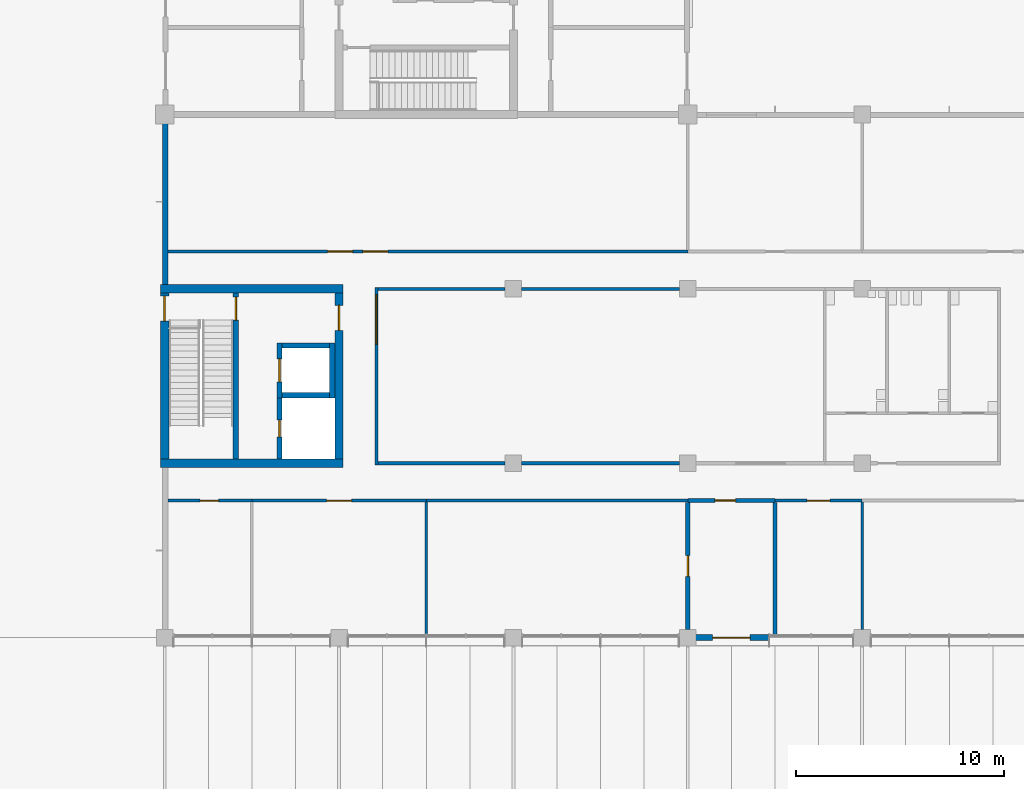
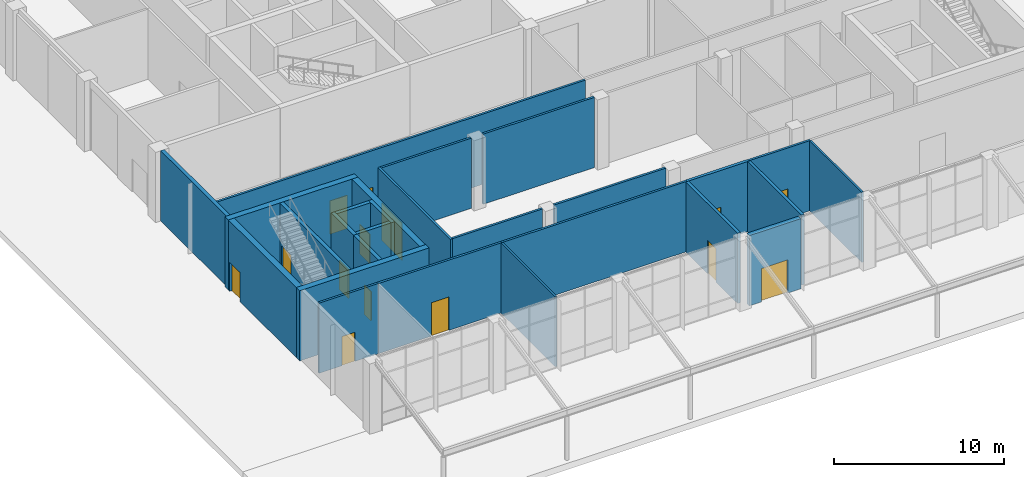
# One storey, part 32 of 76: 27 walls, 14 doors, 14 openings.
"""IFC4 building model written with IfcOpenShell, lengths in metres."""

from ifc_helpers import new_model, si_unit, direction, frame, frame_2d, origin, place, context, subcontext, project, spatial, rectangle, extrude, material, layer, layer_set, type_object, element, fill, save


model = new_model("IFC4")

# Units and contexts
model_context = context("Model", 3, precision=1e-05, world=origin(), true_north=direction((0.0, 1.0)))
body_context = subcontext(model_context, "Body", "Model", "MODEL_VIEW")
ifc_project = project(units=[si_unit("LENGTHUNIT", "METRE"), si_unit("AREAUNIT", "SQUARE_METRE"), si_unit("VOLUMEUNIT", "CUBIC_METRE"), si_unit("PLANEANGLEUNIT", "RADIAN"), si_unit("MASSUNIT", "GRAM", prefix="KILO")], contexts=[model_context])

# Site, building, storey
site_placement = place(None, origin())
site = spatial("IfcSite", under=ifc_project, at=site_placement, CompositionType="ELEMENT")
building_placement = place(site_placement, origin())
building = spatial("IfcBuilding", under=site, at=building_placement, Name="Hlaing Beacon Police Headquarters", CompositionType="ELEMENT")
storey_placement = place(building_placement, origin())
storey = spatial("IfcBuildingStorey", under=building, at=storey_placement, Name="L00", CompositionType="ELEMENT", Elevation=0.0)

# Walls
ifc_material_1 = material(Name="Concrete C60/75", Category="concrete")
ifc_layer_1 = layer(ifc_material_1, 0.39990234375)
ifc_layer_set_1 = layer_set([ifc_layer_1], Name="Concrete C60/75")
wall_type_1 = type_object("IfcWallType", Name="Core shear wall 400", PredefinedType="SHEAR", material=ifc_layer_set_1)
for number, where, z_axis, x_axis, name in (
    (1, (8.199951171875, 16.800048828125, 0.0), (0.0, 0.0, 1.0), (1.0, 0.0, 0.0), "Core shear wall"),
    (2, (8.199951171875, 25.199951171875, 0.0), (0.0, 0.0, 1.0), (1.0, 0.0, 0.0), "Core shear wall"),
):
    element("IfcWall", number, at=place(storey_placement, frame(where, z_axis=z_axis, x_axis=x_axis)), inside=storey, type_object=wall_type_1, Name=name, PredefinedType="SHEAR", context=body_context, shape_type="SweptSolid", body=[
        extrude(rectangle(XDim=8.800048828125, YDim=0.39990234375, at=frame_2d((4.39990234375, 0.0))), origin(), (0.0, 0.0, 1.0), 5.050048828125),
    ])

# Wall, opening, door
wall_1_placement = place(storey_placement, frame((8.39990234375, 17.0, 0.0), z_axis=(0.0, 0.0, 1.0), x_axis=(0.0, 1.0, 0.0)))
wall_1 = element("IfcWall", 3, at=wall_1_placement, inside=storey, type_object=wall_type_1, Name="Core shear wall", PredefinedType="SHEAR", context=body_context, shape_type="SweptSolid", body=[
    extrude(rectangle(XDim=8.0, YDim=0.39990234375, at=frame_2d((4.0, 0.0))), origin(), (0.0, 0.0, 1.0), 5.050048828125),
])
opening_1_placement = place(wall_1_placement, frame((6.64990234375, 0.0, 0.0)))
opening_1 = element("IfcOpeningElement", 4, at=opening_1_placement, cuts=wall_1, Name="Opening L00-940", PredefinedType="OPENING", context=body_context, shape_type="SweptSolid", body=[
    extrude(rectangle(XDim=1.199951171875, YDim=2.10009765625, at=frame_2d((0.60009765625, 1.050048828125))), frame((0.0, 0.2099609375, 0.0), z_axis=(0.0, -1.0, 0.0), x_axis=(1.0, 0.0, 0.0)), (0.0, 0.0, 1.0), 0.419921875),
])
ifc_material_2 = material(Name="Steel fire door leaf", Category="steel")
ifc_layer_2 = layer(ifc_material_2, 0.070068359375)
ifc_layer_set_2 = layer_set([ifc_layer_2], Name="Steel fire door leaf")
door_type_1 = type_object("IfcDoorType", Name="Steel fire door FD60 1200x2100", OperationType="SINGLE_SWING_LEFT", PredefinedType="DOOR", material=ifc_layer_set_2)
door_1_placement = place(opening_1_placement, origin())
door_1 = element("IfcDoor", 5, at=door_1_placement, inside=storey, type_object=door_type_1, Name="Door Stair ST-J Exit", OperationType="SINGLE_SWING_LEFT", OverallHeight=2.10009765625, OverallWidth=1.199951171875, PredefinedType="DOOR", context=body_context, shape_type="SweptSolid", body=[
    extrude(rectangle(XDim=1.199951171875, YDim=2.10009765625, at=frame_2d((0.60009765625, 1.050048828125))), frame((0.0, 0.03515625, 0.0), z_axis=(0.0, -1.0, 0.0), x_axis=(1.0, 0.0, 0.0)), (0.0, 0.0, 1.0), 0.070068359375),
])
fill(opening_1, door_1)

wall_2_placement = place(storey_placement, frame((16.800048828125, 17.0, 0.0), z_axis=(0.0, 0.0, 1.0), x_axis=(0.0, 1.0, 0.0)))
wall_2 = element("IfcWall", 6, at=wall_2_placement, inside=storey, type_object=wall_type_1, Name="Core shear wall", PredefinedType="SHEAR", context=body_context, shape_type="SweptSolid", body=[
    extrude(rectangle(XDim=8.0, YDim=0.39990234375, at=frame_2d((4.0, 0.0))), origin(), (0.0, 0.0, 1.0), 5.050048828125),
])
opening_2_placement = place(wall_2_placement, frame((6.199951171875, 0.0, 0.0)))
opening_2 = element("IfcOpeningElement", 7, at=opening_2_placement, cuts=wall_2, Name="Opening L00-937", PredefinedType="OPENING", context=body_context, shape_type="SweptSolid", body=[
    extrude(rectangle(XDim=1.199951171875, YDim=2.10009765625, at=frame_2d((0.60009765625, 1.050048828125))), frame((0.0, 0.2099609375, 0.0), z_axis=(0.0, -1.0, 0.0), x_axis=(1.0, 0.0, 0.0)), (0.0, 0.0, 1.0), 0.419921875),
])
ifc_material_3 = material(Name="Steel fire door leaf", Category="steel")
ifc_layer_3 = layer(ifc_material_3, 0.070068359375)
ifc_layer_set_3 = layer_set([ifc_layer_3], Name="Steel fire door leaf")
door_type_2 = type_object("IfcDoorType", Name="Steel fire door FD60S 1200x2100", OperationType="SINGLE_SWING_LEFT", PredefinedType="DOOR", material=ifc_layer_set_3)
door_2_placement = place(opening_2_placement, origin())
door_2 = element("IfcDoor", 8, at=door_2_placement, inside=storey, type_object=door_type_2, Name="Door Lift and Stair Lobby ST-J Entry", OperationType="SINGLE_SWING_RIGHT", OverallHeight=2.10009765625, OverallWidth=1.199951171875, PredefinedType="DOOR", context=body_context, shape_type="SweptSolid", body=[
    extrude(rectangle(XDim=1.199951171875, YDim=2.10009765625, at=frame_2d((0.60009765625, 1.050048828125))), frame((0.0, 0.03515625, 0.0), z_axis=(0.0, -1.0, 0.0), x_axis=(1.0, 0.0, 0.0)), (0.0, 0.0, 1.0), 0.070068359375),
])
fill(opening_2, door_2)

ifc_material_4 = material(Name="Gypsum board partition")
ifc_layer_4 = layer(ifc_material_4, 0.14990234375)
ifc_layer_set_4 = layer_set([ifc_layer_4], Name="Gypsum board partition")
wall_type_2 = type_object("IfcWallType", Name="Corridor wall EI 30 150", PredefinedType="PARTITIONING", material=ifc_layer_set_4)
wall_3_placement = place(storey_placement, frame((18.60009765625, 16.72509765625, 0.0), z_axis=(0.0, 0.0, 1.0), x_axis=(0.0, 1.0, 0.0)))
wall_3 = element("IfcWall", 9, at=wall_3_placement, inside=storey, type_object=wall_type_2, Name="Corridor wall EI 30 150", PredefinedType="PARTITIONING", context=body_context, shape_type="SweptSolid", body=[
    extrude(rectangle(XDim=8.5498046875, YDim=0.14990234375, at=frame_2d((4.27490234375, 0.0))), origin(), (0.0, 0.0, 1.0), 5.050048828125),
])
opening_3_placement = place(wall_3_placement, frame((5.800048828125, 0.0, 0.0)))
opening_3 = element("IfcOpeningElement", 10, at=opening_3_placement, cuts=wall_3, Name="Opening L00-030", PredefinedType="OPENING", context=body_context, shape_type="SweptSolid", body=[
    extrude(rectangle(XDim=2.39990234375, YDim=2.699951171875, at=frame_2d((1.199951171875, 1.35009765625))), frame((0.0, 0.0849609375, 0.0), z_axis=(0.0, -1.0, 0.0), x_axis=(1.0, 0.0, 0.0)), (0.0, 0.0, 1.0), 0.169921875),
])
ifc_material_5 = material(Name="Hardwood door leaf", Category="wood")
ifc_layer_5 = layer(ifc_material_5, 0.050048828125)
ifc_layer_set_5 = layer_set([ifc_layer_5], Name="Hardwood door leaf")
door_type_3 = type_object("IfcDoorType", Name="Fire hall double door FD30S 2400x2700", OperationType="DOUBLE_DOOR_SINGLE_SWING", PredefinedType="DOOR", material=ifc_layer_set_5)
door_3_placement = place(opening_3_placement, origin())
door_3 = element("IfcDoor", 11, at=door_3_placement, inside=storey, type_object=door_type_3, Name="Door Community Hall", OperationType="DOUBLE_DOOR_SINGLE_SWING", OverallHeight=2.699951171875, OverallWidth=2.39990234375, PredefinedType="DOOR", context=body_context, shape_type="SweptSolid", body=[
    extrude(rectangle(XDim=2.39990234375, YDim=2.699951171875, at=frame_2d((1.199951171875, 1.35009765625))), frame((0.0, 0.02490234375, 0.0), z_axis=(0.0, -1.0, 0.0), x_axis=(1.0, 0.0, 0.0)), (0.0, 0.0, 1.0), 0.050048828125),
])
fill(opening_3, door_3)

# Walls
wall_4_placement = place(storey_placement, frame((18.675048828125, 16.800048828125, 0.0), z_axis=(0.0, 0.0, 1.0), x_axis=(1.0, 0.0, 0.0)))
element("IfcWall", 12, at=wall_4_placement, inside=storey, type_object=wall_type_2, Name="Corridor wall EI 30 150", PredefinedType="PARTITIONING", context=body_context, shape_type="SweptSolid", body=[
    extrude(rectangle(XDim=6.125, YDim=0.14990234375, at=frame_2d((3.0625, 0.0))), origin(), (0.0, 0.0, 1.0), 5.050048828125),
])
wall_5_placement = place(storey_placement, frame((25.60009765625, 16.800048828125, 0.0), z_axis=(0.0, 0.0, 1.0), x_axis=(1.0, 0.0, 0.0)))
element("IfcWall", 13, at=wall_5_placement, inside=storey, type_object=wall_type_2, Name="Corridor wall EI 30 150", PredefinedType="PARTITIONING", context=body_context, shape_type="SweptSolid", body=[
    extrude(rectangle(XDim=7.599853515625, YDim=0.14990234375, at=frame_2d((3.7998046875, 0.0))), origin(), (0.0, 0.0, 1.0), 5.050048828125),
])
wall_6_placement = place(storey_placement, frame((18.675048828125, 25.199951171875, 0.0), z_axis=(0.0, 0.0, 1.0), x_axis=(1.0, 0.0, 0.0)))
element("IfcWall", 14, at=wall_6_placement, inside=storey, type_object=wall_type_2, Name="Corridor wall EI 30 150", PredefinedType="PARTITIONING", context=body_context, shape_type="SweptSolid", body=[
    extrude(rectangle(XDim=6.125, YDim=0.14990234375, at=frame_2d((3.0625, 0.0))), origin(), (0.0, 0.0, 1.0), 5.050048828125),
])
wall_7_placement = place(storey_placement, frame((25.60009765625, 25.199951171875, 0.0), z_axis=(0.0, 0.0, 1.0), x_axis=(1.0, 0.0, 0.0)))
element("IfcWall", 15, at=wall_7_placement, inside=storey, type_object=wall_type_2, Name="Corridor wall EI 30 150", PredefinedType="PARTITIONING", context=body_context, shape_type="SweptSolid", body=[
    extrude(rectangle(XDim=7.599853515625, YDim=0.14990234375, at=frame_2d((3.7998046875, 0.0))), origin(), (0.0, 0.0, 1.0), 5.050048828125),
])

# Wall, openings, doors
wall_8_placement = place(storey_placement, frame((8.550048828125, 27.0, 0.0), z_axis=(0.0, 0.0, 1.0), x_axis=(1.0, 0.0, 0.0)))
wall_8 = element("IfcWall", 16, at=wall_8_placement, inside=storey, type_object=wall_type_2, Name="Corridor wall EI 30 150", PredefinedType="PARTITIONING", context=body_context, shape_type="SweptSolid", body=[
    extrude(rectangle(XDim=25.050048828125, YDim=0.14990234375, at=frame_2d((12.52490234375, 0.0))), origin(), (0.0, 0.0, 1.0), 5.050048828125),
])
opening_4_placement = place(wall_8_placement, frame((7.699951171875, 0.0, 0.0)))
opening_4 = element("IfcOpeningElement", 17, at=opening_4_placement, cuts=wall_8, Name="Opening L00-036", PredefinedType="OPENING", context=body_context, shape_type="SweptSolid", body=[
    extrude(rectangle(XDim=1.199951171875, YDim=2.39990234375, at=frame_2d((0.60009765625, 1.199951171875))), frame((0.0, 0.0849609375, 0.0), z_axis=(0.0, -1.0, 0.0), x_axis=(1.0, 0.0, 0.0)), (0.0, 0.0, 1.0), 0.169921875),
])
opening_5_placement = place(wall_8_placement, frame((9.39990234375, 0.0, 0.0)))
opening_5 = element("IfcOpeningElement", 18, at=opening_5_placement, cuts=wall_8, Name="Opening L00-037", PredefinedType="OPENING", context=body_context, shape_type="SweptSolid", body=[
    extrude(rectangle(XDim=1.199951171875, YDim=2.39990234375, at=frame_2d((0.60009765625, 1.199951171875))), frame((0.0, 0.0849609375, 0.0), z_axis=(0.0, -1.0, 0.0), x_axis=(1.0, 0.0, 0.0)), (0.0, 0.0, 1.0), 0.169921875),
])
ifc_material_6 = material(Name="Hardwood door leaf", Category="wood")
ifc_layer_6 = layer(ifc_material_6, 0.050048828125)
ifc_layer_set_6 = layer_set([ifc_layer_6], Name="Hardwood door leaf")
door_type_4 = type_object("IfcDoorType", Name="Fire public door FD30S 1200x2400", OperationType="SINGLE_SWING_LEFT", PredefinedType="DOOR", material=ifc_layer_set_6)
door_4_placement = place(opening_4_placement, frame((1.199951171875, 0.0, 0.0), z_axis=(0.0, 0.0, 1.0), x_axis=(-1.0, 0.0, 0.0)))
door_4 = element("IfcDoor", 19, at=door_4_placement, inside=storey, type_object=door_type_4, Name="Door Victim Support Suite", OperationType="SINGLE_SWING_RIGHT", OverallHeight=2.39990234375, OverallWidth=1.199951171875, PredefinedType="DOOR", context=body_context, shape_type="SweptSolid", body=[
    extrude(rectangle(XDim=1.199951171875, YDim=2.39990234375, at=frame_2d((0.599853515625, 1.199951171875))), frame((0.0, 0.025146484375, 0.0), z_axis=(0.0, -1.0, 0.0), x_axis=(1.0, 0.0, 0.0)), (0.0, 0.0, 1.0), 0.050048828125),
])
fill(opening_4, door_4)
door_5_placement = place(opening_5_placement, frame((1.199951171875, 0.0, 0.0), z_axis=(0.0, 0.0, 1.0), x_axis=(-1.0, 0.0, 0.0)))
door_5 = element("IfcDoor", 20, at=door_5_placement, inside=storey, type_object=door_type_4, Name="Door Victim Support Suite", OperationType="SINGLE_SWING_LEFT", OverallHeight=2.39990234375, OverallWidth=1.199951171875, PredefinedType="DOOR", context=body_context, shape_type="SweptSolid", body=[
    extrude(rectangle(XDim=1.199951171875, YDim=2.39990234375, at=frame_2d((0.599853515625, 1.199951171875))), frame((0.0, 0.025146484375, 0.0), z_axis=(0.0, -1.0, 0.0), x_axis=(1.0, 0.0, 0.0)), (0.0, 0.0, 1.0), 0.050048828125),
])
fill(opening_5, door_5)

# Wall, opening, door
wall_9_placement = place(storey_placement, frame((8.550048828125, 15.0, 0.0), z_axis=(0.0, 0.0, 1.0), x_axis=(1.0, 0.0, 0.0)))
wall_9 = element("IfcWall", 21, at=wall_9_placement, inside=storey, type_object=wall_type_2, Name="Corridor wall EI 30 150", PredefinedType="PARTITIONING", context=body_context, shape_type="SweptSolid", body=[
    extrude(rectangle(XDim=4.050048828125, YDim=0.14990234375, at=frame_2d((2.02490234375, 0.0))), origin(), (0.0, 0.0, 1.0), 5.050048828125),
])
opening_6_placement = place(wall_9_placement, frame((1.550048828125, 0.0, 0.0)))
opening_6 = element("IfcOpeningElement", 22, at=opening_6_placement, cuts=wall_9, Name="Opening L00-042", PredefinedType="OPENING", context=body_context, shape_type="SweptSolid", body=[
    extrude(rectangle(XDim=0.89990234375, YDim=2.10009765625, at=frame_2d((0.449951171875, 1.050048828125))), frame((0.0, 0.0849609375, 0.0), z_axis=(0.0, -1.0, 0.0), x_axis=(1.0, 0.0, 0.0)), (0.0, 0.0, 1.0), 0.169921875),
])
ifc_material_7 = material(Name="Hardwood door leaf", Category="wood")
ifc_layer_7 = layer(ifc_material_7, 0.050048828125)
ifc_layer_set_7 = layer_set([ifc_layer_7], Name="Hardwood door leaf")
door_type_5 = type_object("IfcDoorType", Name="Fire door FD30S 900x2100", OperationType="SINGLE_SWING_LEFT", PredefinedType="DOOR", material=ifc_layer_set_7)
door_6_placement = place(opening_6_placement, frame((0.89990234375, 0.0, 0.0), z_axis=(0.0, 0.0, 1.0), x_axis=(-1.0, 0.0, 0.0)))
door_6 = element("IfcDoor", 23, at=door_6_placement, inside=storey, type_object=door_type_5, Name="Door Public Front Stores", OperationType="SINGLE_SWING_LEFT", OverallHeight=2.10009765625, OverallWidth=0.89990234375, PredefinedType="DOOR", context=body_context, shape_type="SweptSolid", body=[
    extrude(rectangle(XDim=0.89990234375, YDim=2.10009765625, at=frame_2d((0.449951171875, 1.050048828125))), frame((0.0, 0.025146484375, 0.0), z_axis=(0.0, -1.0, 0.0), x_axis=(1.0, 0.0, 0.0)), (0.0, 0.0, 1.0), 0.050048828125),
])
fill(opening_6, door_6)

wall_10_placement = place(storey_placement, frame((12.60009765625, 15.0, 0.0), z_axis=(0.0, 0.0, 1.0), x_axis=(1.0, 0.0, 0.0)))
wall_10 = element("IfcWall", 24, at=wall_10_placement, inside=storey, type_object=wall_type_2, Name="Corridor wall EI 30 150", PredefinedType="PARTITIONING", context=body_context, shape_type="SweptSolid", body=[
    extrude(rectangle(XDim=8.39990234375, YDim=0.14990234375, at=frame_2d((4.199951171875, 0.0))), origin(), (0.0, 0.0, 1.0), 5.050048828125),
])
opening_7_placement = place(wall_10_placement, frame((3.60009765625, 0.0, 0.0)))
opening_7 = element("IfcOpeningElement", 25, at=opening_7_placement, cuts=wall_10, Name="Opening L00-043", PredefinedType="OPENING", context=body_context, shape_type="SweptSolid", body=[
    extrude(rectangle(XDim=1.199951171875, YDim=2.39990234375, at=frame_2d((0.60009765625, 1.199951171875))), frame((0.0, 0.0849609375, 0.0), z_axis=(0.0, -1.0, 0.0), x_axis=(1.0, 0.0, 0.0)), (0.0, 0.0, 1.0), 0.169921875),
])
door_7_placement = place(opening_7_placement, frame((1.199951171875, 0.0, 0.0), z_axis=(0.0, 0.0, 1.0), x_axis=(-1.0, 0.0, 0.0)))
door_7 = element("IfcDoor", 26, at=door_7_placement, inside=storey, type_object=door_type_4, Name="Door Media Briefing Room", OperationType="SINGLE_SWING_RIGHT", OverallHeight=2.39990234375, OverallWidth=1.199951171875, PredefinedType="DOOR", context=body_context, shape_type="SweptSolid", body=[
    extrude(rectangle(XDim=1.199951171875, YDim=2.39990234375, at=frame_2d((0.599853515625, 1.199951171875))), frame((0.0, 0.025146484375, 0.0), z_axis=(0.0, -1.0, 0.0), x_axis=(1.0, 0.0, 0.0)), (0.0, 0.0, 1.0), 0.050048828125),
])
fill(opening_7, door_7)

# Wall
wall_11_placement = place(storey_placement, frame((21.0, 15.0, 0.0), z_axis=(0.0, 0.0, 1.0), x_axis=(1.0, 0.0, 0.0)))
element("IfcWall", 27, at=wall_11_placement, inside=storey, type_object=wall_type_2, Name="Corridor wall EI 30 150", PredefinedType="PARTITIONING", context=body_context, shape_type="SweptSolid", body=[
    extrude(rectangle(XDim=12.60009765625, YDim=0.14990234375, at=frame_2d((6.300048828125, 0.0))), origin(), (0.0, 0.0, 1.0), 5.050048828125),
])

# Wall, opening, door
wall_12_placement = place(storey_placement, frame((37.800048828125, 15.0, 0.0), z_axis=(0.0, 0.0, 1.0), x_axis=(1.0, 0.0, 0.0)))
wall_12 = element("IfcWall", 28, at=wall_12_placement, inside=storey, type_object=wall_type_2, Name="Corridor wall EI 30 150", PredefinedType="PARTITIONING", context=body_context, shape_type="SweptSolid", body=[
    extrude(rectangle(XDim=4.199951171875, YDim=0.14990234375, at=frame_2d((2.10009765625, 0.0))), origin(), (0.0, 0.0, 1.0), 5.050048828125),
])
opening_8_placement = place(wall_12_placement, frame((1.550048828125, 0.0, 0.0)))
opening_8 = element("IfcOpeningElement", 29, at=opening_8_placement, cuts=wall_12, Name="Opening L00-046", PredefinedType="OPENING", context=body_context, shape_type="SweptSolid", body=[
    extrude(rectangle(XDim=1.10009765625, YDim=2.10009765625, at=frame_2d((0.550048828125, 1.050048828125))), frame((0.0, 0.0849609375, 0.0), z_axis=(0.0, -1.0, 0.0), x_axis=(1.0, 0.0, 0.0)), (0.0, 0.0, 1.0), 0.169921875),
])
ifc_material_8 = material(Name="Hardwood door leaf", Category="wood")
ifc_layer_8 = layer(ifc_material_8, 0.050048828125)
ifc_layer_set_8 = layer_set([ifc_layer_8], Name="Hardwood door leaf")
door_type_6 = type_object("IfcDoorType", Name="Fire door FD30S 1100x2100", OperationType="SINGLE_SWING_LEFT", PredefinedType="DOOR", material=ifc_layer_set_8)
door_8_placement = place(opening_8_placement, frame((1.10009765625, 0.0, 0.0), z_axis=(0.0, 0.0, 1.0), x_axis=(-1.0, 0.0, 0.0)))
door_8 = element("IfcDoor", 30, at=door_8_placement, inside=storey, type_object=door_type_6, Name="Door Cafe Kitchen", OperationType="SINGLE_SWING_LEFT", OverallHeight=2.10009765625, OverallWidth=1.10009765625, PredefinedType="DOOR", context=body_context, shape_type="SweptSolid", body=[
    extrude(rectangle(XDim=1.10009765625, YDim=2.10009765625, at=frame_2d((0.550048828125, 1.050048828125))), frame((0.0, 0.025146484375, 0.0), z_axis=(0.0, -1.0, 0.0), x_axis=(1.0, 0.0, 0.0)), (0.0, 0.0, 1.0), 0.050048828125),
])
fill(opening_8, door_8)

ifc_material_9 = material(Name="Concrete blockwork 7.5 N/mm2", Category="masonry")
ifc_layer_9 = layer(ifc_material_9, 0.199951171875)
ifc_layer_set_9 = layer_set([ifc_layer_9], Name="Concrete blockwork 7.5 N/mm2")
wall_type_3 = type_object("IfcWallType", Name="Lobby wall EI 120 200", PredefinedType="PARTITIONING", material=ifc_layer_set_9)
wall_13_placement = place(storey_placement, frame((33.60009765625, 15.0, 0.0), z_axis=(0.0, 0.0, 1.0), x_axis=(1.0, 0.0, 0.0)))
wall_13 = element("IfcWall", 31, at=wall_13_placement, inside=storey, type_object=wall_type_3, Name="Lobby wall EI 120 200", PredefinedType="PARTITIONING", context=body_context, shape_type="SweptSolid", body=[
    extrude(rectangle(XDim=4.199951171875, YDim=0.199951171875, at=frame_2d((2.10009765625, 0.0))), origin(), (0.0, 0.0, 1.0), 5.050048828125),
])
opening_9_placement = place(wall_13_placement, frame((1.300048828125, 0.0, 0.0)))
opening_9 = element("IfcOpeningElement", 32, at=opening_9_placement, cuts=wall_13, Name="Opening L00-045", PredefinedType="OPENING", context=body_context, shape_type="SweptSolid", body=[
    extrude(rectangle(XDim=1.0, YDim=2.39990234375, at=frame_2d((0.5, 1.199951171875))), frame((0.0, 0.10986328125, 0.0), z_axis=(0.0, -1.0, 0.0), x_axis=(1.0, 0.0, 0.0)), (0.0, 0.0, 1.0), 0.219970703125),
])
ifc_material_10 = material(Name="Hardwood door leaf", Category="wood")
ifc_layer_10 = layer(ifc_material_10, 0.06005859375)
ifc_layer_set_10 = layer_set([ifc_layer_10], Name="Hardwood door leaf")
door_type_7 = type_object("IfcDoorType", Name="Fire public door FD60S 1000x2400", OperationType="SINGLE_SWING_LEFT", PredefinedType="DOOR", material=ifc_layer_set_10)
door_9_placement = place(opening_9_placement, frame((1.0, 0.0, 0.0), z_axis=(0.0, 0.0, 1.0), x_axis=(-1.0, 0.0, 0.0)))
door_9 = element("IfcDoor", 33, at=door_9_placement, inside=storey, type_object=door_type_7, Name="Door Public Front Entrance Lobby", OperationType="SINGLE_SWING_RIGHT", OverallHeight=2.39990234375, OverallWidth=1.0, PredefinedType="DOOR", context=body_context, shape_type="SweptSolid", body=[
    extrude(rectangle(XDim=1.0, YDim=2.39990234375, at=frame_2d((0.5, 1.199951171875))), frame((0.0, 0.030029296875, 0.0), z_axis=(0.0, -1.0, 0.0), x_axis=(1.0, 0.0, 0.0)), (0.0, 0.0, 1.0), 0.06005859375),
])
fill(opening_9, door_9)

wall_14_placement = place(storey_placement, frame((33.60009765625, 8.800048828125, 0.0), z_axis=(0.0, 0.0, 1.0), x_axis=(0.0, 1.0, 0.0)))
wall_14 = element("IfcWall", 34, at=wall_14_placement, inside=storey, type_object=wall_type_3, Name="Lobby wall EI 120 200", PredefinedType="PARTITIONING", context=body_context, shape_type="SweptSolid", body=[
    extrude(rectangle(XDim=6.099853515625, YDim=0.199951171875, at=frame_2d((3.0498046875, 0.0))), origin(), (0.0, 0.0, 1.0), 5.050048828125),
])
opening_10_placement = place(wall_14_placement, frame((2.550048828125, 0.0, 0.0)))
opening_10 = element("IfcOpeningElement", 35, at=opening_10_placement, cuts=wall_14, Name="Opening L00-044", PredefinedType="OPENING", context=body_context, shape_type="SweptSolid", body=[
    extrude(rectangle(XDim=1.0, YDim=2.39990234375, at=frame_2d((0.5, 1.199951171875))), frame((0.0, 0.10986328125, 0.0), z_axis=(0.0, -1.0, 0.0), x_axis=(1.0, 0.0, 0.0)), (0.0, 0.0, 1.0), 0.219970703125),
])
ifc_material_11 = material(Name="Aluminium frame with safety glazing", Category="aluminium")
ifc_layer_11 = layer(ifc_material_11, 0.070068359375)
ifc_layer_set_11 = layer_set([ifc_layer_11], Name="Aluminium frame with safety glazing")
door_type_8 = type_object("IfcDoorType", Name="Fire glazed public door FD60S 1000x2400", OperationType="SINGLE_SWING_LEFT", PredefinedType="DOOR", material=ifc_layer_set_11)
door_10_placement = place(opening_10_placement, origin())
door_10 = element("IfcDoor", 36, at=door_10_placement, inside=storey, type_object=door_type_8, Name="Door Front Counter and Licensing Counter", OperationType="SINGLE_SWING_LEFT", OverallHeight=2.39990234375, OverallWidth=1.0, PredefinedType="DOOR", context=body_context, shape_type="SweptSolid", body=[
    extrude(rectangle(XDim=1.0, YDim=2.39990234375, at=frame_2d((0.5, 1.199951171875))), frame((0.0, 0.03515625, 0.0), z_axis=(0.0, -1.0, 0.0), x_axis=(1.0, 0.0, 0.0)), (0.0, 0.0, 1.0), 0.070068359375),
])
fill(opening_10, door_10)

# Walls
wall_15_placement = place(storey_placement, frame((37.800048828125, 8.550048828125, 0.0), z_axis=(0.0, 0.0, 1.0), x_axis=(0.0, 1.0, 0.0)))
element("IfcWall", 37, at=wall_15_placement, inside=storey, type_object=wall_type_3, Name="Lobby wall EI 120 200", PredefinedType="PARTITIONING", context=body_context, shape_type="SweptSolid", body=[
    extrude(rectangle(XDim=6.349853515625, YDim=0.199951171875, at=frame_2d((3.1748046875, 0.0))), origin(), (0.0, 0.0, 1.0), 5.050048828125),
])
ifc_material_12 = material(Name="Gypsum board partition")
ifc_layer_12 = layer(ifc_material_12, 0.125)
ifc_layer_set_12 = layer_set([ifc_layer_12], Name="Gypsum board partition")
wall_type_4 = type_object("IfcWallType", Name="Partition 125", PredefinedType="PARTITIONING", material=ifc_layer_set_12)
wall_16_placement = place(storey_placement, frame((21.0, 8.550048828125, 0.0), z_axis=(0.0, 0.0, 1.0), x_axis=(0.0, 1.0, 0.0)))
element("IfcWall", 38, at=wall_16_placement, inside=storey, type_object=wall_type_4, Name="Partition 125", PredefinedType="PARTITIONING", context=body_context, shape_type="SweptSolid", body=[
    extrude(rectangle(XDim=6.375, YDim=0.125, at=frame_2d((3.1875, 0.0))), origin(), (0.0, 0.0, 1.0), 5.050048828125),
])
wall_17_placement = place(storey_placement, frame((42.0, 8.800048828125, 0.0), z_axis=(0.0, 0.0, 1.0), x_axis=(0.0, 1.0, 0.0)))
element("IfcWall", 39, at=wall_17_placement, inside=storey, type_object=wall_type_4, Name="Partition 125", PredefinedType="PARTITIONING", context=body_context, shape_type="SweptSolid", body=[
    extrude(rectangle(XDim=6.125, YDim=0.125, at=frame_2d((3.0625, 0.0))), origin(), (0.0, 0.0, 1.0), 5.050048828125),
])
ifc_material_13 = material(Name="Concrete C40/50 precast ribbed cladding", Category="concrete")
ifc_layer_13 = layer(ifc_material_13, 0.25)
ifc_layer_set_13 = layer_set([ifc_layer_13], Name="Concrete C40/50 precast ribbed cladding")
wall_type_5 = type_object("IfcWallType", Name="Precast ribbed wall 250", PredefinedType="SOLIDWALL", material=ifc_layer_set_13)
wall_18_placement = place(storey_placement, frame((8.425048828125, 33.169921875, 0.0), z_axis=(0.0, 0.0, 1.0), x_axis=(0.0, -1.0, 0.0)))
element("IfcWall", 40, at=wall_18_placement, inside=storey, type_object=wall_type_5, Name="External wall L00 W014", PredefinedType="SOLIDWALL", context=body_context, shape_type="SweptSolid", body=[
    extrude(rectangle(XDim=7.77001953125, YDim=0.25, at=frame_2d((3.885009765625, 0.0))), origin(), (0.0, 0.0, 1.0), 5.050048828125),
])

# Wall, opening, door
ifc_material_14 = material(Name="Concrete C40/50 precast ribbed cladding", Category="concrete")
ifc_layer_14 = layer(ifc_material_14, 0.300048828125)
ifc_layer_set_14 = layer_set([ifc_layer_14], Name="Concrete C40/50 precast ribbed cladding")
wall_type_6 = type_object("IfcWallType", Name="Precast ribbed wall 300", PredefinedType="SOLIDWALL", material=ifc_layer_set_14)
wall_19_placement = place(storey_placement, frame((33.97998046875, 8.39990234375, 0.0), z_axis=(0.0, 0.0, 1.0), x_axis=(1.0, 0.0, 0.0)))
wall_19 = element("IfcWall", 41, at=wall_19_placement, inside=storey, type_object=wall_type_6, Name="External wall L00 S016", PredefinedType="SOLIDWALL", context=body_context, shape_type="SweptSolid", body=[
    extrude(rectangle(XDim=3.52001953125, YDim=0.300048828125, at=frame_2d((1.760009765625, 0.0))), origin(), (0.0, 0.0, 1.0), 5.050048828125),
])
opening_11_placement = place(wall_19_placement, frame((0.820068359375, 0.0, 0.0)))
opening_11 = element("IfcOpeningElement", 42, at=opening_11_placement, cuts=wall_19, Name="Opening L00-805", PredefinedType="OPENING", context=body_context, shape_type="SweptSolid", body=[
    extrude(rectangle(XDim=1.800048828125, YDim=2.39990234375, at=frame_2d((0.89990234375, 1.199951171875))), frame((0.0, 0.16015625, 0.0), z_axis=(0.0, -1.0, 0.0), x_axis=(1.0, 0.0, 0.0)), (0.0, 0.0, 1.0), 0.320068359375),
])
ifc_material_15 = material(Name="Aluminium framed glazed door", Category="aluminium")
door_type_9 = type_object("IfcDoorType", Name="Entrance door 1800x2400 double", OperationType="DOUBLE_DOOR_DOUBLE_SWING", PredefinedType="DOOR", material=ifc_material_15)
door_11_placement = place(opening_11_placement, frame((1.800048828125, 0.0, 0.0), z_axis=(0.0, 0.0, 1.0), x_axis=(-1.0, 0.0, 0.0)))
door_11 = element("IfcDoor", 43, at=door_11_placement, inside=storey, type_object=door_type_9, Name="Door Public Front Entrance Lobby", OperationType="DOUBLE_DOOR_DOUBLE_SWING", OverallHeight=2.39990234375, OverallWidth=1.800048828125, PredefinedType="DOOR", context=body_context, shape_type="SweptSolid", body=[
    extrude(rectangle(XDim=1.800048828125, YDim=2.39990234375, at=frame_2d((0.900146484375, 1.199951171875))), frame((0.0, 0.025146484375, 0.0), z_axis=(0.0, -1.0, 0.0), x_axis=(1.0, 0.0, 0.0)), (0.0, 0.0, 1.0), 0.050048828125),
])
fill(opening_11, door_11)

ifc_material_16 = material(Name="Concrete C40/50", Category="concrete")
ifc_layer_15 = layer(ifc_material_16, 0.25)
ifc_layer_set_15 = layer_set([ifc_layer_15], Name="Concrete C40/50")
wall_type_7 = type_object("IfcWallType", Name="Shaft wall 250", PredefinedType="SOLIDWALL", material=ifc_layer_set_15)
wall_20_placement = place(storey_placement, frame((11.824951171875, 25.0, 0.0), z_axis=(0.0, 0.0, 1.0), x_axis=(0.0, -1.0, 0.0)))
wall_20 = element("IfcWall", 44, at=wall_20_placement, inside=storey, type_object=wall_type_7, Name="Stair enclosure wall", PredefinedType="SOLIDWALL", context=body_context, shape_type="SweptSolid", body=[
    extrude(rectangle(XDim=8.0, YDim=0.25, at=frame_2d((4.0, 0.0))), origin(), (0.0, 0.0, 1.0), 5.050048828125),
])
opening_12_placement = place(wall_20_placement, frame((0.199951171875, 0.0, 0.0)))
opening_12 = element("IfcOpeningElement", 45, at=opening_12_placement, cuts=wall_20, Name="Opening L00-939", PredefinedType="OPENING", context=body_context, shape_type="SweptSolid", body=[
    extrude(rectangle(XDim=1.10009765625, YDim=2.10009765625, at=frame_2d((0.550048828125, 1.050048828125))), frame((0.0, 0.135009765625, 0.0), z_axis=(0.0, -1.0, 0.0), x_axis=(1.0, 0.0, 0.0)), (0.0, 0.0, 1.0), 0.27001953125),
])
ifc_material_17 = material(Name="Steel fire door leaf", Category="steel")
ifc_layer_16 = layer(ifc_material_17, 0.070068359375)
ifc_layer_set_16 = layer_set([ifc_layer_16], Name="Steel fire door leaf")
door_type_10 = type_object("IfcDoorType", Name="Steel fire door FD60 1100x2100", OperationType="SINGLE_SWING_LEFT", PredefinedType="DOOR", material=ifc_layer_set_16)
door_12_placement = place(opening_12_placement, frame((1.10009765625, 0.0, 0.0), z_axis=(0.0, 0.0, 1.0), x_axis=(-1.0, 0.0, 0.0)))
door_12 = element("IfcDoor", 46, at=door_12_placement, inside=storey, type_object=door_type_10, Name="Door Stair ST-J", OperationType="SINGLE_SWING_LEFT", OverallHeight=2.10009765625, OverallWidth=1.10009765625, PredefinedType="DOOR", context=body_context, shape_type="SweptSolid", body=[
    extrude(rectangle(XDim=1.10009765625, YDim=2.10009765625, at=frame_2d((0.550048828125, 1.050048828125))), frame((0.0, 0.034912109375, 0.0), z_axis=(0.0, -1.0, 0.0), x_axis=(1.0, 0.0, 0.0)), (0.0, 0.0, 1.0), 0.070068359375),
])
fill(opening_12, door_12)

wall_21_placement = place(storey_placement, frame((13.925048828125, 19.949951171875, 0.0), z_axis=(0.0, 0.0, 1.0), x_axis=(0.0, -1.0, 0.0)))
wall_21 = element("IfcWall", 47, at=wall_21_placement, inside=storey, type_object=wall_type_7, Name="Lobby wall", PredefinedType="SOLIDWALL", context=body_context, shape_type="SweptSolid", body=[
    extrude(rectangle(XDim=2.949951171875, YDim=0.25, at=frame_2d((1.47509765625, 0.0))), origin(), (0.0, 0.0, 1.0), 5.050048828125),
])
opening_13_placement = place(wall_21_placement, frame((1.074951171875, 0.0, 0.0)))
opening_13 = element("IfcOpeningElement", 48, at=opening_13_placement, cuts=wall_21, Name="Opening L00-938", PredefinedType="OPENING", context=body_context, shape_type="SweptSolid", body=[
    extrude(rectangle(XDim=0.800048828125, YDim=2.10009765625, at=frame_2d((0.39990234375, 1.050048828125))), frame((0.0, 0.135009765625, 0.0), z_axis=(0.0, -1.0, 0.0), x_axis=(1.0, 0.0, 0.0)), (0.0, 0.0, 1.0), 0.27001953125),
])
ifc_material_18 = material(Name="Steel fire door leaf", Category="steel")
ifc_layer_17 = layer(ifc_material_18, 0.070068359375)
ifc_layer_set_17 = layer_set([ifc_layer_17], Name="Steel fire door leaf")
door_type_11 = type_object("IfcDoorType", Name="Steel fire door FD60 800x2100", OperationType="SINGLE_SWING_LEFT", PredefinedType="DOOR", material=ifc_layer_set_17)
door_13_placement = place(opening_13_placement, origin())
door_13 = element("IfcDoor", 49, at=door_13_placement, inside=storey, type_object=door_type_11, Name="Door Services Riser", OperationType="SINGLE_SWING_LEFT", OverallHeight=2.10009765625, OverallWidth=0.800048828125, PredefinedType="DOOR", context=body_context, shape_type="SweptSolid", body=[
    extrude(rectangle(XDim=0.800048828125, YDim=2.10009765625, at=frame_2d((0.39990234375, 1.050048828125))), frame((0.0, 0.03515625, 0.0), z_axis=(0.0, -1.0, 0.0), x_axis=(1.0, 0.0, 0.0)), (0.0, 0.0, 1.0), 0.070068359375),
])
fill(opening_13, door_13)

# Walls
wall_22_placement = place(storey_placement, frame((16.47509765625, 19.949951171875, 0.0), z_axis=(0.0, 0.0, 1.0), x_axis=(0.0, 1.0, 0.0)))
element("IfcWall", 50, at=wall_22_placement, inside=storey, type_object=wall_type_7, Name="Lift shaft wall PL5", PredefinedType="SOLIDWALL", context=body_context, shape_type="SweptSolid", body=[
    extrude(rectangle(XDim=2.650146484375, YDim=0.25, at=frame_2d((1.3251953125, 0.0))), origin(), (0.0, 0.0, 1.0), 5.050048828125),
])
for number, where, z_axis, x_axis, name in (
    (51, (14.050048828125, 22.47509765625, 0.0), (0.0, 0.0, 1.0), (1.0, 0.0, 0.0), "Lift shaft wall PL5"),
    (52, (14.050048828125, 20.074951171875, 0.0), (0.0, 0.0, 1.0), (1.0, 0.0, 0.0), "Lift shaft wall PL5"),
):
    element("IfcWall", number, at=place(storey_placement, frame(where, z_axis=z_axis, x_axis=x_axis)), inside=storey, type_object=wall_type_7, Name=name, PredefinedType="SOLIDWALL", context=body_context, shape_type="SweptSolid", body=[
        extrude(rectangle(XDim=2.300048828125, YDim=0.25, at=frame_2d((1.14990234375, 0.0))), origin(), (0.0, 0.0, 1.0), 5.050048828125),
    ])

# Wall, opening, door
wall_23_placement = place(storey_placement, frame((13.925048828125, 19.949951171875, 0.0), z_axis=(0.0, 0.0, 1.0), x_axis=(0.0, 1.0, 0.0)))
wall_23 = element("IfcWall", 53, at=wall_23_placement, inside=storey, type_object=wall_type_7, Name="Lift shaft wall PL5", PredefinedType="SOLIDWALL", context=body_context, shape_type="SweptSolid", body=[
    extrude(rectangle(XDim=2.650146484375, YDim=0.25, at=frame_2d((1.3251953125, 0.0))), origin(), (0.0, 0.0, 1.0), 5.050048828125),
])
opening_14_placement = place(wall_23_placement, frame((0.77490234375, 0.0, 0.0)))
opening_14 = element("IfcOpeningElement", 54, at=opening_14_placement, cuts=wall_23, Name="Opening LD-PL5-L00", PredefinedType="OPENING", context=body_context, shape_type="SweptSolid", body=[
    extrude(rectangle(XDim=1.10009765625, YDim=2.10009765625, at=frame_2d((0.550048828125, 1.050048828125))), frame((0.0, 0.135009765625, 0.0), z_axis=(0.0, -1.0, 0.0), x_axis=(1.0, 0.0, 0.0)), (0.0, 0.0, 1.0), 0.27001953125),
])
ifc_material_19 = material(Name="Stainless steel lift landing door", Category="steel")
ifc_layer_18 = layer(ifc_material_19, 0.06005859375)
ifc_layer_set_18 = layer_set([ifc_layer_18], Name="Stainless steel lift landing door")
door_type_12 = type_object("IfcDoorType", Name="Lift landing door 1100x2100", OperationType="DOUBLE_DOOR_SLIDING", PredefinedType="DOOR", material=ifc_layer_set_18)
door_14_placement = place(opening_14_placement, origin())
door_14 = element("IfcDoor", 55, at=door_14_placement, inside=storey, type_object=door_type_12, Name="Landing door PL5 L00", OperationType="DOUBLE_DOOR_SLIDING", OverallHeight=2.10009765625, OverallWidth=1.10009765625, PredefinedType="DOOR", context=body_context, shape_type="SweptSolid", body=[
    extrude(rectangle(XDim=1.10009765625, YDim=2.10009765625, at=frame_2d((0.550048828125, 1.050048828125))), frame((0.0, 0.0400390625, 0.0), z_axis=(0.0, -1.0, 0.0), x_axis=(1.0, 0.0, 0.0)), (0.0, 0.0, 1.0), 0.080078125),
])
fill(opening_14, door_14)

save(model, "model.ifc")
